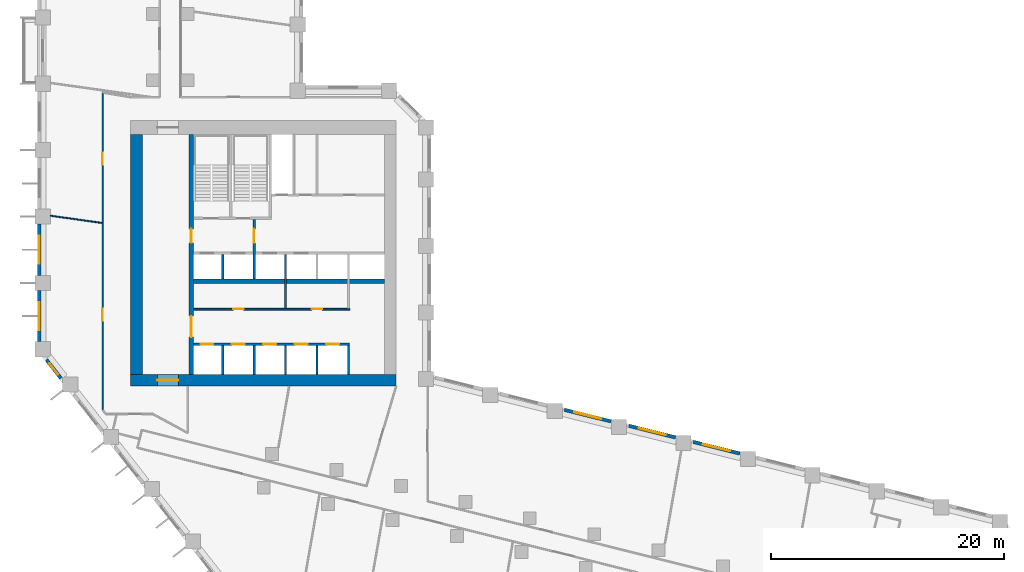
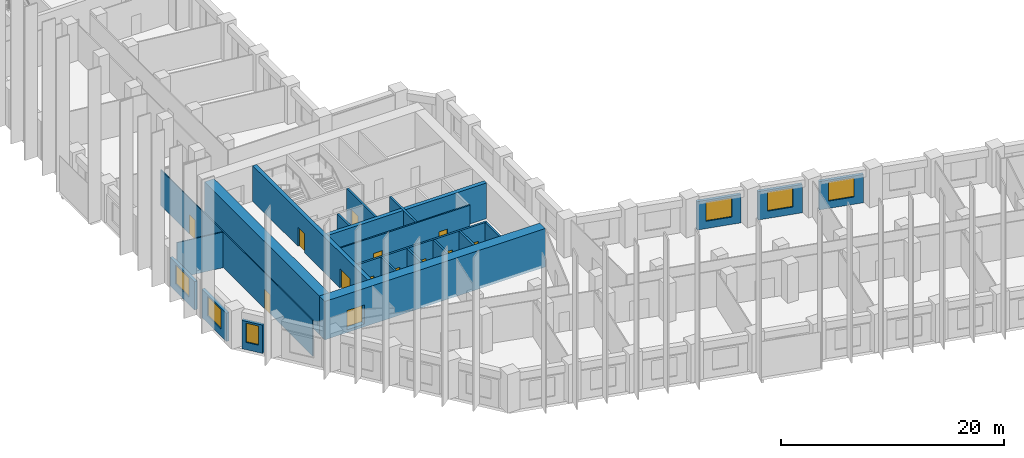
# One storey, part 4 of 10: 22 walls, 13 doors, 6 windows, 19 openings.
"""IFC4 building model written with IfcOpenShell, lengths in metres."""

import ifcopenshell
import ifcopenshell.guid

model = None  # the IFC model being written
_history = None  # IfcOwnerHistory: only IFC2X3 demands one
_inside = {}  # id of a spatial element -> (the spatial element, [elements in it])
_under = {}  # id of a project, library or spatial element -> (it, [spatial elements below it])
_declared = {}  # id of a project -> (the project, [libraries it declares])
_typed = {}  # id of a type object -> (the type object, [elements of that type])
_made_of = {}  # id of a material, layer set ... -> (it, [elements and type objects made of it])


def new_model(schema):
    """Start an empty IFC model of exactly this schema.

    Asked for "IFC4X3", IfcOpenShell would pick the latest addendum, in which some entities
    have other attributes; the version numbers below select the first issue.
    IFC2X3 requires an IfcOwnerHistory on every rooted entity: one is made here for all.
    """
    global model, _history
    if schema == "IFC4X3":
        model = ifcopenshell.file(schema_version=(4, 3, 0, 0))
    else:
        model = ifcopenshell.file(schema=schema)
    _inside.clear()
    _under.clear()
    _declared.clear()
    _typed.clear()
    _made_of.clear()
    _history = None
    if model.schema == "IFC2X3":
        org = make("IfcOrganization", Name="unknown")
        user = make(
            "IfcPersonAndOrganization",
            ThePerson=make("IfcPerson", FamilyName="unknown"),
            TheOrganization=org,
        )
        app = make(
            "IfcApplication",
            ApplicationDeveloper=org,
            Version="unknown",
            ApplicationFullName="unknown",
            ApplicationIdentifier="unknown",
        )
        _history = make(
            "IfcOwnerHistory",
            OwningUser=user,
            OwningApplication=app,
            ChangeAction="ADDED",
            CreationDate=0,
        )
    return model


def make(cls, **values):
    """One entity of the class cls with the attributes given. An attribute that is None is left unset."""
    return model.create_entity(
        cls, **{name: value for name, value in values.items() if value is not None}
    )


def rooted(cls, **values):
    """An entity with a GlobalId (a new one), such as an element, a storey or a relation."""
    return make(cls, GlobalId=ifcopenshell.guid.new(), OwnerHistory=_history, **values)


def si_unit(unit_type, name, prefix=None):
    """IfcSIUnit, for example si_unit("LENGTHUNIT", "METRE", prefix="MILLI")."""
    return make("IfcSIUnit", UnitType=unit_type, Prefix=prefix, Name=name)


def assignment(units):
    """IfcUnitAssignment: the units of a project."""
    return None if units is None else make("IfcUnitAssignment", Units=units)


def point(xyz):
    """IfcCartesianPoint."""
    return None if xyz is None else make("IfcCartesianPoint", Coordinates=xyz)


def direction(xyz):
    """IfcDirection."""
    return None if xyz is None else make("IfcDirection", DirectionRatios=xyz)


def frame(location, z_axis=None, x_axis=None):
    """IfcAxis2Placement3D, a coordinate frame: its origin and axes. An axis left out is left unset."""
    return make(
        "IfcAxis2Placement3D",
        Location=point(location),
        Axis=direction(z_axis),
        RefDirection=direction(x_axis),
    )


def frame_2d(location, x_axis=None):
    """IfcAxis2Placement2D, a coordinate frame in the plane: its origin and x axis."""
    return make(
        "IfcAxis2Placement2D", Location=point(location), RefDirection=direction(x_axis)
    )


def origin():
    """The frame at (0, 0, 0) with its axes left unset."""
    return frame((0.0, 0.0, 0.0))


def place(relative_to, where):
    """IfcLocalPlacement: puts the frame where relative to a parent placement (None: the world)."""
    return make(
        "IfcLocalPlacement", PlacementRelTo=relative_to, RelativePlacement=where
    )


def context(
    kind, dimensions, precision=None, world=None, true_north=None, identifier=None
):
    """IfcGeometricRepresentationContext, for example the 3D "Model" context."""
    return make(
        "IfcGeometricRepresentationContext",
        ContextIdentifier=identifier,
        ContextType=kind,
        CoordinateSpaceDimension=dimensions,
        Precision=precision,
        WorldCoordinateSystem=world,
        TrueNorth=true_north,
    )


def subcontext(parent, identifier, kind, view, scale=None):
    """IfcGeometricRepresentationSubContext, for example "Body" below "Model"."""
    return make(
        "IfcGeometricRepresentationSubContext",
        ContextIdentifier=identifier,
        ContextType=kind,
        ParentContext=parent,
        TargetScale=scale,
        TargetView=view,
    )


def project(units=None, contexts=None):
    """IfcProject with its units and contexts."""
    return rooted(
        "IfcProject",
        Name="project",
        RepresentationContexts=contexts,
        UnitsInContext=assignment(units),
    )


def spatial(cls, under=None, at=None, **own):
    """A site, building, storey or space (cls), placed at a placement, below another one or the project."""
    s = rooted(cls, ObjectPlacement=at, **own)
    if under is not None:
        _under.setdefault(under.id(), (under, []))[1].append(s)
    return s


def profile(cls, at=None, kind="AREA", **sizes):
    """A parametric profile (cls). Its sizes go by their IFC names, for example OverallWidth=200.0."""
    return make(cls, ProfileType=kind, Position=at, **sizes)


def rectangle(**sizes):
    """IfcRectangleProfileDef."""
    return profile("IfcRectangleProfileDef", **sizes)


def extrude(swept, where, along, depth):
    """IfcExtrudedAreaSolid: the profile swept, set in the frame where, extruded along a direction by depth."""
    return make(
        "IfcExtrudedAreaSolid",
        SweptArea=swept,
        Position=where,
        ExtrudedDirection=direction(along),
        Depth=depth,
    )


def shape(context_of_items, identifier, shape_type, items):
    """IfcShapeRepresentation: the items that make up one representation, for example the "Body"."""
    return make(
        "IfcShapeRepresentation",
        ContextOfItems=context_of_items,
        RepresentationIdentifier=identifier,
        RepresentationType=shape_type,
        Items=items,
    )


def material(Name=None, Category=None):
    """IfcMaterial."""
    return make("IfcMaterial", Name=Name, Category=Category)


def layer(
    of_material, thickness, ventilated=None, Name=None, Category=None, Priority=None
):
    """IfcMaterialLayer: one layer of a wall or slab, of a material (None: an air gap)."""
    return make(
        "IfcMaterialLayer",
        Material=of_material,
        LayerThickness=thickness,
        IsVentilated=ventilated,
        Name=Name,
        Category=Category,
        Priority=Priority,
    )


def layer_set(layers, Name=None):
    """IfcMaterialLayerSet."""
    return make("IfcMaterialLayerSet", MaterialLayers=layers, LayerSetName=Name)


def made_of(thing, what):
    """Note that an element or type object is made of a material, layer set ...; save() writes the relation."""
    if what is not None:
        _made_of.setdefault(what.id(), (what, []))[1].append(thing)
    return thing


def type_object(cls, material=None, **own):
    """A type object (cls), such as IfcWallType, which elements share."""
    return made_of(rooted(cls, **own), material)


def element(
    cls,
    number,
    at=None,
    inside=None,
    cuts=None,
    type_object=None,
    material=None,
    context=None,
    identifier="Body",
    shape_type=None,
    held_by="IfcProductDefinitionShape",
    body=None,
    shapes=None,
    **own,
):
    """One element of the class cls, such as IfcWall. Its Tag is "e" and its number.

    at: its placement. inside: the storey or other place that contains it. cuts: it is an
    opening in that element (IfcRelVoidsElement). A single representation is given by context,
    identifier, shape_type and body (its items); several are given by shapes. held_by: the class
    of the entity that holds the representations. save() writes the other relations.
    """
    e = rooted(cls, Tag="e%d" % number, ObjectPlacement=at, **own)
    if body is not None:
        shapes = [shape(context, identifier, shape_type, body)]
    if shapes is not None:
        e.Representation = make(held_by, Representations=shapes)
    if inside is not None:
        _inside.setdefault(inside.id(), (inside, []))[1].append(e)
    if cuts is not None:
        rooted(
            "IfcRelVoidsElement", RelatingBuildingElement=cuts, RelatedOpeningElement=e
        )
    if type_object is not None:
        _typed.setdefault(type_object.id(), (type_object, []))[1].append(e)
    return made_of(e, material)


def fill(opening, filler):
    """IfcRelFillsElement: the door or window that sits in an opening."""
    return rooted(
        "IfcRelFillsElement",
        RelatingOpeningElement=opening,
        RelatedBuildingElement=filler,
    )


def aggregate(whole, parts):
    """IfcRelAggregates: a whole, such as a stair, and the parts it consists of."""
    return rooted("IfcRelAggregates", RelatingObject=whole, RelatedObjects=parts)


def save(model, path):
    """Write the relations noted so far, then the file.

    IfcRelAggregates (storeys below a building ...), IfcRelContainedInSpatialStructure (elements
    in a storey), IfcRelDefinesByType, IfcRelAssociatesMaterial and IfcRelDeclares: one each for
    every whole, place, type object, material and project.
    """
    for whole, parts in _under.values():
        aggregate(whole, parts)
    for where, things in _inside.values():
        rooted(
            "IfcRelContainedInSpatialStructure",
            RelatedElements=things,
            RelatingStructure=where,
        )
    for kind, things in _typed.values():
        rooted("IfcRelDefinesByType", RelatedObjects=things, RelatingType=kind)
    for what, things in _made_of.values():
        rooted("IfcRelAssociatesMaterial", RelatedObjects=things, RelatingMaterial=what)
    for by, libraries in _declared.values():
        rooted("IfcRelDeclares", RelatingContext=by, RelatedDefinitions=libraries)
    model.write(path)


model = new_model("IFC4")

# Units and contexts
model_context = context("Model", 3, precision=1e-05, world=origin(), true_north=direction((0.0, 1.0)))
body_context = subcontext(model_context, "Body", "Model", "MODEL_VIEW")
ifc_project = project(units=[si_unit("LENGTHUNIT", "METRE"), si_unit("AREAUNIT", "SQUARE_METRE"), si_unit("VOLUMEUNIT", "CUBIC_METRE"), si_unit("PLANEANGLEUNIT", "RADIAN"), si_unit("MASSUNIT", "GRAM", prefix="KILO")], contexts=[model_context])

# Site, building, storey
site_placement = place(None, origin())
site = spatial("IfcSite", under=ifc_project, at=site_placement, CompositionType="ELEMENT")
building_placement = place(site_placement, origin())
building = spatial("IfcBuilding", under=site, at=building_placement, Name="Meshkara Civic Tower", CompositionType="ELEMENT")
storey_placement = place(building_placement, frame((0.0, 0.0, 114.0)))
storey = spatial("IfcBuildingStorey", under=building, at=storey_placement, Name="L25", CompositionType="ELEMENT", Elevation=114.0)

# Wall, openings, doors
ifc_material_1 = material(Name="Blockwork", Category="masonry")
ifc_layer_1 = layer(ifc_material_1, 0.14990234375)
ifc_layer_set_1 = layer_set([ifc_layer_1], Name="Core partition 150")
wall_type_1 = type_object("IfcWallType", Name="Core partition 150", PredefinedType="PARTITIONING", material=ifc_layer_set_1)
wall_1_placement = place(storey_placement, frame((13.39990234375, 20.699951171875, 0.0), z_axis=(0.0, 0.0, 1.0), x_axis=(1.0, 0.0, 0.0)))
wall_1 = element("IfcWall", 1, at=wall_1_placement, inside=storey, type_object=wall_type_1, Name="L25-C006", PredefinedType="PARTITIONING", context=body_context, shape_type="SweptSolid", body=[
    extrude(rectangle(XDim=13.400146484375, YDim=0.14990234375, at=frame_2d((6.7001953125, 0.0))), origin(), (0.0, 0.0, 1.0), 3.89990234375),
])
opening_1_placement = place(wall_1_placement, frame((3.39990234375, 0.0, 0.0)))
opening_1 = element("IfcOpeningElement", 2, at=opening_1_placement, cuts=wall_1, Name="Opening L25-K010", PredefinedType="OPENING", context=body_context, shape_type="SweptSolid", body=[
    extrude(rectangle(XDim=0.89990234375, YDim=2.10009765625, at=frame_2d((0.449951171875, 1.050048828125))), frame((0.0, 0.0849609375, 0.0), z_axis=(0.0, -1.0, 0.0), x_axis=(1.0, 0.0, 0.0)), (0.0, 0.0, 1.0), 0.169921875),
])
opening_2_placement = place(wall_1_placement, frame((10.14990234375, 0.0, 0.0)))
opening_2 = element("IfcOpeningElement", 3, at=opening_2_placement, cuts=wall_1, Name="Opening L25-K011", PredefinedType="OPENING", context=body_context, shape_type="SweptSolid", body=[
    extrude(rectangle(XDim=0.89990234375, YDim=2.10009765625, at=frame_2d((0.449951171875, 1.050048828125))), frame((0.0, 0.0849609375, 0.0), z_axis=(0.0, -1.0, 0.0), x_axis=(1.0, 0.0, 0.0)), (0.0, 0.0, 1.0), 0.169921875),
])
ifc_material_2 = material(Name="Timber door leaf in steel frame", Category="steel")
door_type_1 = type_object("IfcDoorType", Name="Core room door 900", OperationType="SINGLE_SWING_LEFT", PredefinedType="DOOR", material=ifc_material_2)
door_1_placement = place(opening_1_placement, origin())
door_1 = element("IfcDoor", 4, at=door_1_placement, inside=storey, type_object=door_type_1, Name="L25-K010", OperationType="SINGLE_SWING_RIGHT", OverallHeight=2.10009765625, OverallWidth=0.89990234375, PredefinedType="DOOR", context=body_context, shape_type="SweptSolid", body=[
    extrude(rectangle(XDim=0.89990234375, YDim=2.10009765625, at=frame_2d((0.449951171875, 1.050048828125))), frame((0.0, 0.02490234375, 0.0), z_axis=(0.0, -1.0, 0.0), x_axis=(1.0, 0.0, 0.0)), (0.0, 0.0, 1.0), 0.050048828125),
])
fill(opening_1, door_1)
door_2_placement = place(opening_2_placement, origin())
door_2 = element("IfcDoor", 5, at=door_2_placement, inside=storey, type_object=door_type_1, Name="L25-K011", OperationType="SINGLE_SWING_RIGHT", OverallHeight=2.10009765625, OverallWidth=0.89990234375, PredefinedType="DOOR", context=body_context, shape_type="SweptSolid", body=[
    extrude(rectangle(XDim=0.89990234375, YDim=2.10009765625, at=frame_2d((0.449951171875, 1.050048828125))), frame((0.0, 0.02490234375, 0.0), z_axis=(0.0, -1.0, 0.0), x_axis=(1.0, 0.0, 0.0)), (0.0, 0.0, 1.0), 0.050048828125),
])
fill(opening_2, door_2)

# Wall, opening, door
ifc_material_3 = material(Name="Concrete C70", Category="concrete")
ifc_layer_2 = layer(ifc_material_3, 1.0)
ifc_layer_set_2 = layer_set([ifc_layer_2], Name="Core ring wall 1000 C70")
wall_type_2 = type_object("IfcWallType", Name="Core ring wall 1000 C70", PredefinedType="SHEAR", material=ifc_layer_set_2)
wall_2_placement = place(storey_placement, frame((8.0, 14.60009765625, -0.300048828125), z_axis=(0.0, 0.0, 1.0), x_axis=(1.0, 0.0, 0.0)))
wall_2 = element("IfcWall", 6, at=wall_2_placement, inside=storey, type_object=wall_type_2, Name="L25-C001", PredefinedType="SHEAR", context=body_context, shape_type="SweptSolid", body=[
    extrude(rectangle(XDim=22.800048828125, YDim=1.0, at=frame_2d((11.39990234375, 0.0))), origin(), (0.0, 0.0, 1.0), 4.199951171875),
])
opening_3_placement = place(wall_2_placement, frame((2.300048828125, 0.0, 0.300048828125)))
opening_3 = element("IfcOpeningElement", 7, at=opening_3_placement, cuts=wall_2, Name="Opening L25-K021", PredefinedType="OPENING", context=body_context, shape_type="SweptSolid", body=[
    extrude(rectangle(XDim=1.800048828125, YDim=2.10009765625, at=frame_2d((0.89990234375, 1.050048828125))), frame((0.0, 0.510009765625, 0.0), z_axis=(0.0, -1.0, 0.0), x_axis=(1.0, 0.0, 0.0)), (0.0, 0.0, 1.0), 1.02001953125),
])
ifc_material_4 = material(Name="Fire-rated door leaf in steel frame", Category="steel")
door_type_2 = type_object("IfcDoorType", Name="Core double door 1800 EI 60", OperationType="DOUBLE_DOOR_SINGLE_SWING", PredefinedType="DOOR", material=ifc_material_4)
door_3_placement = place(opening_3_placement, origin())
door_3 = element("IfcDoor", 8, at=door_3_placement, inside=storey, type_object=door_type_2, Name="L25-K021", OperationType="DOUBLE_DOOR_SINGLE_SWING", OverallHeight=2.10009765625, OverallWidth=1.800048828125, PredefinedType="DOOR", context=body_context, shape_type="SweptSolid", body=[
    extrude(rectangle(XDim=1.800048828125, YDim=2.10009765625, at=frame_2d((0.89990234375, 1.050048828125))), frame((0.0, 0.02490234375, 0.0), z_axis=(0.0, -1.0, 0.0), x_axis=(1.0, 0.0, 0.0)), (0.0, 0.0, 1.0), 0.050048828125),
])
fill(opening_3, door_3)

# Walls
wall_3_placement = place(storey_placement, frame((8.5, 15.10009765625, -0.300048828125), z_axis=(0.0, 0.0, 1.0), x_axis=(0.0, 1.0, 0.0)))
element("IfcWall", 9, at=wall_3_placement, inside=storey, type_object=wall_type_2, Name="L25-C003", PredefinedType="SHEAR", context=body_context, shape_type="SweptSolid", body=[
    extrude(rectangle(XDim=20.599853515625, YDim=1.0, at=frame_2d((10.2998046875, 0.0))), origin(), (0.0, 0.0, 1.0), 4.199951171875),
])
ifc_material_5 = material(Name="Concrete C70", Category="concrete")
ifc_layer_3 = layer(ifc_material_5, 0.39990234375)
ifc_layer_set_3 = layer_set([ifc_layer_3], Name="Core shear wall 400 C70")
wall_type_3 = type_object("IfcWallType", Name="Core shear wall 400 C70", PredefinedType="SHEAR", material=ifc_layer_set_3)
wall_4_placement = place(storey_placement, frame((13.39990234375, 23.10009765625, 0.0), z_axis=(0.0, 0.0, 1.0), x_axis=(1.0, 0.0, 0.0)))
element("IfcWall", 10, at=wall_4_placement, inside=storey, type_object=wall_type_3, Name="L25-C007", PredefinedType="SHEAR", context=body_context, shape_type="SweptSolid", body=[
    extrude(rectangle(XDim=16.400146484375, YDim=0.39990234375, at=frame_2d((8.2001953125, 0.0))), origin(), (0.0, 0.0, 1.0), 3.89990234375),
])

# Wall, openings, doors
wall_5_placement = place(storey_placement, frame((13.199951171875, 15.10009765625, 0.0), z_axis=(0.0, 0.0, 1.0), x_axis=(0.0, 1.0, 0.0)))
wall_5 = element("IfcWall", 11, at=wall_5_placement, inside=storey, type_object=wall_type_3, Name="L25-C011", PredefinedType="SHEAR", context=body_context, shape_type="SweptSolid", body=[
    extrude(rectangle(XDim=20.599853515625, YDim=0.39990234375, at=frame_2d((10.2998046875, 0.0))), origin(), (0.0, 0.0, 1.0), 3.89990234375),
])
opening_4_placement = place(wall_5_placement, frame((3.199951171875, 0.0, 0.0)))
opening_4 = element("IfcOpeningElement", 12, at=opening_4_placement, cuts=wall_5, Name="Opening L25-K017", PredefinedType="OPENING", context=body_context, shape_type="SweptSolid", body=[
    extrude(rectangle(XDim=1.800048828125, YDim=2.10009765625, at=frame_2d((0.89990234375, 1.050048828125))), frame((0.0, 0.2099609375, 0.0), z_axis=(0.0, -1.0, 0.0), x_axis=(1.0, 0.0, 0.0)), (0.0, 0.0, 1.0), 0.419921875),
])
opening_5_placement = place(wall_5_placement, frame((11.300048828125, 0.0, 0.0)))
opening_5 = element("IfcOpeningElement", 13, at=opening_5_placement, cuts=wall_5, Name="Opening L25-K018", PredefinedType="OPENING", context=body_context, shape_type="SweptSolid", body=[
    extrude(rectangle(XDim=1.199951171875, YDim=2.10009765625, at=frame_2d((0.60009765625, 1.050048828125))), frame((0.0, 0.2099609375, 0.0), z_axis=(0.0, -1.0, 0.0), x_axis=(1.0, 0.0, 0.0)), (0.0, 0.0, 1.0), 0.419921875),
])
door_4_placement = place(opening_4_placement, origin())
door_4 = element("IfcDoor", 14, at=door_4_placement, inside=storey, type_object=door_type_2, Name="L25-K017", OperationType="DOUBLE_DOOR_SINGLE_SWING", OverallHeight=2.10009765625, OverallWidth=1.800048828125, PredefinedType="DOOR", context=body_context, shape_type="SweptSolid", body=[
    extrude(rectangle(XDim=1.800048828125, YDim=2.10009765625, at=frame_2d((0.89990234375, 1.050048828125))), frame((0.0, 0.02490234375, 0.0), z_axis=(0.0, -1.0, 0.0), x_axis=(1.0, 0.0, 0.0)), (0.0, 0.0, 1.0), 0.050048828125),
])
fill(opening_4, door_4)
ifc_material_6 = material(Name="Fire-rated door leaf in steel frame", Category="steel")
door_type_3 = type_object("IfcDoorType", Name="Fire-fighting lobby door 1200 EI 120", OperationType="SINGLE_SWING_LEFT", PredefinedType="DOOR", material=ifc_material_6)
door_5_placement = place(opening_5_placement, origin())
door_5 = element("IfcDoor", 15, at=door_5_placement, inside=storey, type_object=door_type_3, Name="L25-K018", OperationType="SINGLE_SWING_LEFT", OverallHeight=2.10009765625, OverallWidth=1.199951171875, PredefinedType="DOOR", context=body_context, shape_type="SweptSolid", body=[
    extrude(rectangle(XDim=1.199951171875, YDim=2.10009765625, at=frame_2d((0.60009765625, 1.050048828125))), frame((0.0, 0.02490234375, 0.0), z_axis=(0.0, -1.0, 0.0), x_axis=(1.0, 0.0, 0.0)), (0.0, 0.0, 1.0), 0.050048828125),
])
fill(opening_5, door_5)

ifc_material_7 = material(Name="Corridor wall 100")
ifc_layer_4 = layer(ifc_material_7, 0.10009765625)
ifc_layer_set_4 = layer_set([ifc_layer_4], Name="Corridor wall 100")
wall_type_4 = type_object("IfcWallType", Name="Corridor wall 100", PredefinedType="PARTITIONING", material=ifc_layer_set_4)
wall_6_placement = place(storey_placement, frame((5.60009765625, 39.300048828125, 0.0), z_axis=(0.0, 0.0, 1.0), x_axis=(0.0, -1.0, 0.0)))
wall_6 = element("IfcWall", 16, at=wall_6_placement, inside=storey, type_object=wall_type_4, Name="L25-W004", PredefinedType="PARTITIONING", context=body_context, shape_type="SweptSolid", body=[
    extrude(rectangle(XDim=27.257080078125, YDim=0.10009765625, at=frame_2d((13.62841796875, 0.0))), origin(), (0.0, 0.0, 1.0), 3.89990234375),
])
opening_6_placement = place(wall_6_placement, frame((18.5791015625, 0.0, 0.0)))
opening_6 = element("IfcOpeningElement", 17, at=opening_6_placement, cuts=wall_6, Name="Opening L25-D015", PredefinedType="OPENING", context=body_context, shape_type="SweptSolid", body=[
    extrude(rectangle(XDim=1.0, YDim=2.10009765625, at=frame_2d((0.5, 1.050048828125))), frame((0.0, 0.06005859375, 0.0), z_axis=(0.0, -1.0, 0.0), x_axis=(1.0, 0.0, 0.0)), (0.0, 0.0, 1.0), 0.1201171875),
])
opening_7_placement = place(wall_6_placement, frame((5.179931640625, 0.0, 0.0)))
opening_7 = element("IfcOpeningElement", 18, at=opening_7_placement, cuts=wall_6, Name="Opening L25-D016", PredefinedType="OPENING", context=body_context, shape_type="SweptSolid", body=[
    extrude(rectangle(XDim=1.0, YDim=2.10009765625, at=frame_2d((0.5, 1.050048828125))), frame((0.0, 0.06005859375, 0.0), z_axis=(0.0, -1.0, 0.0), x_axis=(1.0, 0.0, 0.0)), (0.0, 0.0, 1.0), 0.1201171875),
])
ifc_material_8 = material(Name="Door 1000 x 2100")
door_type_4 = type_object("IfcDoorType", Name="Door 1000 x 2100", OperationType="SINGLE_SWING_LEFT", PredefinedType="DOOR", material=ifc_material_8)
door_6_placement = place(opening_6_placement, origin())
door_6 = element("IfcDoor", 19, at=door_6_placement, inside=storey, type_object=door_type_4, Name="L25-D015", OperationType="SINGLE_SWING_RIGHT", OverallHeight=2.10009765625, OverallWidth=1.0, PredefinedType="DOOR", context=body_context, shape_type="SweptSolid", body=[
    extrude(rectangle(XDim=1.0, YDim=2.10009765625, at=frame_2d((0.5, 1.050048828125))), frame((0.0, 0.02490234375, 0.0), z_axis=(0.0, -1.0, 0.0), x_axis=(1.0, 0.0, 0.0)), (0.0, 0.0, 1.0), 0.050048828125),
])
fill(opening_6, door_6)
door_7_placement = place(opening_7_placement, origin())
door_7 = element("IfcDoor", 20, at=door_7_placement, inside=storey, type_object=door_type_4, Name="L25-D016", OperationType="SINGLE_SWING_LEFT", OverallHeight=2.10009765625, OverallWidth=1.0, PredefinedType="DOOR", context=body_context, shape_type="SweptSolid", body=[
    extrude(rectangle(XDim=1.0, YDim=2.10009765625, at=frame_2d((0.5, 1.050048828125))), frame((0.0, 0.02490234375, 0.0), z_axis=(0.0, -1.0, 0.0), x_axis=(1.0, 0.0, 0.0)), (0.0, 0.0, 1.0), 0.050048828125),
])
fill(opening_7, door_7)

# Wall, opening, window
ifc_material_9 = material(Name="Insulated infill panel with bronze anodised aluminium cladding", Category="aluminium")
ifc_layer_5 = layer(ifc_material_9, 0.300048828125)
ifc_layer_set_5 = layer_set([ifc_layer_5], Name="EXTERNAL INFILL WALL 300")
wall_type_5 = type_object("IfcWallType", Name="EXTERNAL INFILL WALL 300", PredefinedType="SOLIDWALL", material=ifc_layer_set_5)
wall_7_placement = place(storey_placement, frame((60.31103515625, 8.305908203125, 0.0), z_axis=(0.0, 0.0, 1.0), x_axis=(-0.970267747908, 0.242034083076, 0.0)))
wall_7 = element("IfcWall", 21, at=wall_7_placement, inside=storey, type_object=wall_type_5, Name="External wall", PredefinedType="SOLIDWALL", context=body_context, shape_type="SweptSolid", body=[
    extrude(rectangle(XDim=4.12353515625, YDim=0.300048828125, at=frame_2d((2.061767578125, 0.0))), origin(), (0.0, 0.0, 1.0), 3.10009765625),
])
opening_8_placement = place(wall_7_placement, frame((0.862060546875, 0.0, 0.800048828125)))
opening_8 = element("IfcOpeningElement", 22, at=opening_8_placement, cuts=wall_7, Name="Opening W7", PredefinedType="OPENING", context=body_context, shape_type="SweptSolid", body=[
    extrude(rectangle(XDim=2.39990234375, YDim=2.10009765625, at=frame_2d((1.199951171875, 1.050048828125))), frame((0.0, 0.159912109375, 0.0), z_axis=(0.0, -1.0, 0.0), x_axis=(1.0, 0.0, 0.0)), (0.0, 0.0, 1.0), 0.320068359375),
])
ifc_material_10 = material(Name="Tinted double glazing", Category="glass")
window_type_1 = type_object("IfcWindowType", Name="WINDOW 2400x2100", PartitioningType="DOUBLE_PANEL_VERTICAL", PredefinedType="WINDOW", material=ifc_material_10)
window_1_placement = place(opening_8_placement, origin())
window_1 = element("IfcWindow", 23, at=window_1_placement, inside=storey, type_object=window_type_1, Name="Window", OverallHeight=2.10009765625, OverallWidth=2.39990234375, PartitioningType="DOUBLE_PANEL_VERTICAL", PredefinedType="WINDOW", context=body_context, shape_type="SweptSolid", body=[
    extrude(rectangle(XDim=2.39990234375, YDim=2.10009765625, at=frame_2d((1.199951171875, 1.050048828125))), frame((0.0, 0.030029296875, 0.0), z_axis=(0.0, -1.0, 0.0), x_axis=(1.0, 0.0, 0.0)), (0.0, 0.0, 1.0), 0.06005859375),
])
fill(opening_8, window_1)

wall_8_placement = place(storey_placement, frame((54.781005859375, 9.68505859375, 0.0), z_axis=(0.0, 0.0, 1.0), x_axis=(-0.970281616392, 0.241978480223, 0.0)))
wall_8 = element("IfcWall", 24, at=wall_8_placement, inside=storey, type_object=wall_type_5, Name="External wall", PredefinedType="SOLIDWALL", context=body_context, shape_type="SweptSolid", body=[
    extrude(rectangle(XDim=4.12451171875, YDim=0.300048828125, at=frame_2d((2.062255859375, 0.0))), origin(), (0.0, 0.0, 1.0), 3.10009765625),
])
opening_9_placement = place(wall_8_placement, frame((0.862060546875, 0.0, 0.800048828125)))
opening_9 = element("IfcOpeningElement", 25, at=opening_9_placement, cuts=wall_8, Name="Opening W7", PredefinedType="OPENING", context=body_context, shape_type="SweptSolid", body=[
    extrude(rectangle(XDim=2.39990234375, YDim=2.10009765625, at=frame_2d((1.199951171875, 1.050048828125))), frame((0.0, 0.159912109375, 0.0), z_axis=(0.0, -1.0, 0.0), x_axis=(1.0, 0.0, 0.0)), (0.0, 0.0, 1.0), 0.320068359375),
])
window_2_placement = place(opening_9_placement, origin())
window_2 = element("IfcWindow", 26, at=window_2_placement, inside=storey, type_object=window_type_1, Name="Window", OverallHeight=2.10009765625, OverallWidth=2.39990234375, PartitioningType="DOUBLE_PANEL_VERTICAL", PredefinedType="WINDOW", context=body_context, shape_type="SweptSolid", body=[
    extrude(rectangle(XDim=2.39990234375, YDim=2.10009765625, at=frame_2d((1.199951171875, 1.050048828125))), frame((0.0, 0.030029296875, 0.0), z_axis=(0.0, -1.0, 0.0), x_axis=(1.0, 0.0, 0.0)), (0.0, 0.0, 1.0), 0.06005859375),
])
fill(opening_9, window_2)

wall_9_placement = place(storey_placement, frame((49.25, 11.06396484375, 0.0), z_axis=(0.0, 0.0, 1.0), x_axis=(-0.970281616392, 0.241978480223, 0.0)))
wall_9 = element("IfcWall", 27, at=wall_9_placement, inside=storey, type_object=wall_type_5, Name="External wall", PredefinedType="SOLIDWALL", context=body_context, shape_type="SweptSolid", body=[
    extrude(rectangle(XDim=4.12451171875, YDim=0.300048828125, at=frame_2d((2.062255859375, 0.0))), origin(), (0.0, 0.0, 1.0), 3.10009765625),
])
opening_10_placement = place(wall_9_placement, frame((0.862060546875, 0.0, 0.800048828125)))
opening_10 = element("IfcOpeningElement", 28, at=opening_10_placement, cuts=wall_9, Name="Opening W7", PredefinedType="OPENING", context=body_context, shape_type="SweptSolid", body=[
    extrude(rectangle(XDim=2.39990234375, YDim=2.10009765625, at=frame_2d((1.199951171875, 1.050048828125))), frame((0.0, 0.159912109375, 0.0), z_axis=(0.0, -1.0, 0.0), x_axis=(1.0, 0.0, 0.0)), (0.0, 0.0, 1.0), 0.320068359375),
])
window_3_placement = place(opening_10_placement, origin())
window_3 = element("IfcWindow", 29, at=window_3_placement, inside=storey, type_object=window_type_1, Name="Window", OverallHeight=2.10009765625, OverallWidth=2.39990234375, PartitioningType="DOUBLE_PANEL_VERTICAL", PredefinedType="WINDOW", context=body_context, shape_type="SweptSolid", body=[
    extrude(rectangle(XDim=2.39990234375, YDim=2.10009765625, at=frame_2d((1.199951171875, 1.050048828125))), frame((0.0, 0.030029296875, 0.0), z_axis=(0.0, -1.0, 0.0), x_axis=(1.0, 0.0, 0.0)), (0.0, 0.0, 1.0), 0.06005859375),
])
fill(opening_10, window_3)

wall_10_placement = place(storey_placement, frame((0.14990234375, 28.0048828125, 0.0), z_axis=(0.0, 0.0, 1.0), x_axis=(0.0, -1.0, 0.0)))
wall_10 = element("IfcWall", 30, at=wall_10_placement, inside=storey, type_object=wall_type_5, Name="External wall", PredefinedType="SOLIDWALL", context=body_context, shape_type="SweptSolid", body=[
    extrude(rectangle(XDim=4.39990234375, YDim=0.300048828125, at=frame_2d((2.199951171875, 0.0))), origin(), (0.0, 0.0, 1.0), 3.10009765625),
])
opening_11_placement = place(wall_10_placement, frame((1.0, 0.0, 0.800048828125)))
opening_11 = element("IfcOpeningElement", 31, at=opening_11_placement, cuts=wall_10, Name="Opening W7", PredefinedType="OPENING", context=body_context, shape_type="SweptSolid", body=[
    extrude(rectangle(XDim=2.39990234375, YDim=2.10009765625, at=frame_2d((1.199951171875, 1.050048828125))), frame((0.0, 0.159912109375, 0.0), z_axis=(0.0, -1.0, 0.0), x_axis=(1.0, 0.0, 0.0)), (0.0, 0.0, 1.0), 0.320068359375),
])
window_4_placement = place(opening_11_placement, origin())
window_4 = element("IfcWindow", 32, at=window_4_placement, inside=storey, type_object=window_type_1, Name="Window", OverallHeight=2.10009765625, OverallWidth=2.39990234375, PartitioningType="DOUBLE_PANEL_VERTICAL", PredefinedType="WINDOW", context=body_context, shape_type="SweptSolid", body=[
    extrude(rectangle(XDim=2.39990234375, YDim=2.10009765625, at=frame_2d((1.199951171875, 1.050048828125))), frame((0.0, 0.030029296875, 0.0), z_axis=(0.0, -1.0, 0.0), x_axis=(1.0, 0.0, 0.0)), (0.0, 0.0, 1.0), 0.06005859375),
])
fill(opening_11, window_4)

wall_11_placement = place(storey_placement, frame((0.14990234375, 22.304931640625, 0.0), z_axis=(0.0, 0.0, 1.0), x_axis=(0.0, -1.0, 0.0)))
wall_11 = element("IfcWall", 33, at=wall_11_placement, inside=storey, type_object=wall_type_5, Name="External wall", PredefinedType="SOLIDWALL", context=body_context, shape_type="SweptSolid", body=[
    extrude(rectangle(XDim=4.39990234375, YDim=0.300048828125, at=frame_2d((2.199951171875, 0.0))), origin(), (0.0, 0.0, 1.0), 3.10009765625),
])
opening_12_placement = place(wall_11_placement, frame((1.0, 0.0, 0.800048828125)))
opening_12 = element("IfcOpeningElement", 34, at=opening_12_placement, cuts=wall_11, Name="Opening W7", PredefinedType="OPENING", context=body_context, shape_type="SweptSolid", body=[
    extrude(rectangle(XDim=2.39990234375, YDim=2.10009765625, at=frame_2d((1.199951171875, 1.050048828125))), frame((0.0, 0.159912109375, 0.0), z_axis=(0.0, -1.0, 0.0), x_axis=(1.0, 0.0, 0.0)), (0.0, 0.0, 1.0), 0.320068359375),
])
window_5_placement = place(opening_12_placement, origin())
window_5 = element("IfcWindow", 35, at=window_5_placement, inside=storey, type_object=window_type_1, Name="Window", OverallHeight=2.10009765625, OverallWidth=2.39990234375, PartitioningType="DOUBLE_PANEL_VERTICAL", PredefinedType="WINDOW", context=body_context, shape_type="SweptSolid", body=[
    extrude(rectangle(XDim=2.39990234375, YDim=2.10009765625, at=frame_2d((1.199951171875, 1.050048828125))), frame((0.0, 0.030029296875, 0.0), z_axis=(0.0, -1.0, 0.0), x_axis=(1.0, 0.0, 0.0)), (0.0, 0.0, 1.0), 0.06005859375),
])
fill(opening_12, window_5)

wall_12_placement = place(storey_placement, frame((0.77490234375, 16.35107421875, 0.0), z_axis=(0.0, 0.0, 1.0), x_axis=(0.6157921118, -0.787908671766, 0.0)))
wall_12 = element("IfcWall", 36, at=wall_12_placement, inside=storey, type_object=wall_type_5, Name="External wall", PredefinedType="SOLIDWALL", context=body_context, shape_type="SweptSolid", body=[
    extrude(rectangle(XDim=2.015625, YDim=0.300048828125, at=frame_2d((1.0078125, 0.0))), origin(), (0.0, 0.0, 1.0), 3.10009765625),
])
opening_13_placement = place(wall_12_placement, frame((0.407958984375, 0.0, 0.800048828125)))
opening_13 = element("IfcOpeningElement", 37, at=opening_13_placement, cuts=wall_12, Name="Opening W3", PredefinedType="OPENING", context=body_context, shape_type="SweptSolid", body=[
    extrude(rectangle(XDim=1.199951171875, YDim=2.10009765625, at=frame_2d((0.60009765625, 1.050048828125))), frame((0.0, 0.159912109375, 0.0), z_axis=(0.0, -1.0, 0.0), x_axis=(1.0, 0.0, 0.0)), (0.0, 0.0, 1.0), 0.320068359375),
])
ifc_material_11 = material(Name="Tinted double glazing", Category="glass")
window_type_2 = type_object("IfcWindowType", Name="WINDOW 1200x2100", PartitioningType="SINGLE_PANEL", PredefinedType="WINDOW", material=ifc_material_11)
window_6_placement = place(opening_13_placement, origin())
window_6 = element("IfcWindow", 38, at=window_6_placement, inside=storey, type_object=window_type_2, Name="Window", OverallHeight=2.10009765625, OverallWidth=1.199951171875, PartitioningType="SINGLE_PANEL", PredefinedType="WINDOW", context=body_context, shape_type="SweptSolid", body=[
    extrude(rectangle(XDim=1.199951171875, YDim=2.10009765625, at=frame_2d((0.60009765625, 1.050048828125))), frame((0.0, 0.030029296875, 0.0), z_axis=(0.0, -1.0, 0.0), x_axis=(1.0, 0.0, 0.0)), (0.0, 0.0, 1.0), 0.06005859375),
])
fill(opening_13, window_6)

# Wall
ifc_material_12 = material(Name="Partition 100")
ifc_layer_6 = layer(ifc_material_12, 0.10009765625)
ifc_layer_set_6 = layer_set([ifc_layer_6], Name="Partition 100")
wall_type_6 = type_object("IfcWallType", Name="Partition 100", PredefinedType="PARTITIONING", material=ifc_layer_set_6)
wall_13_placement = place(storey_placement, frame((5.54296875, 28.10107421875, 0.0), z_axis=(0.0, 0.0, 1.0), x_axis=(-0.990249777372, 0.139303188816, 0.0)))
element("IfcWall", 39, at=wall_13_placement, inside=storey, type_object=wall_type_6, Name="L25-W032", PredefinedType="PARTITIONING", context=body_context, shape_type="SweptSolid", body=[
    extrude(rectangle(XDim=4.486572265625, YDim=0.10009765625, at=frame_2d((2.2431640625, 0.0))), origin(), (0.0, 0.0, 1.0), 3.89990234375),
])

# Wall, openings, doors
ifc_material_13 = material(Name="Concrete C40/50", Category="concrete")
ifc_layer_7 = layer(ifc_material_13, 0.199951171875)
ifc_layer_set_7 = layer_set([ifc_layer_7], Name="Shaft wall 200 C40/50")
wall_type_7 = type_object("IfcWallType", Name="Shaft wall 200 C40/50", PredefinedType="SOLIDWALL", material=ifc_layer_set_7)
wall_14_placement = place(storey_placement, frame((13.39990234375, 17.699951171875, 0.0), z_axis=(0.0, 0.0, 1.0), x_axis=(1.0, 0.0, 0.0)))
wall_14 = element("IfcWall", 40, at=wall_14_placement, inside=storey, type_object=wall_type_7, Name="L25-C005", PredefinedType="SOLIDWALL", context=body_context, shape_type="SweptSolid", body=[
    extrude(rectangle(XDim=13.400146484375, YDim=0.199951171875, at=frame_2d((6.7001953125, 0.0))), origin(), (0.0, 0.0, 1.0), 3.89990234375),
])
opening_14_placement = place(wall_14_placement, frame((0.60009765625, 0.0, 0.0)))
opening_14 = element("IfcOpeningElement", 41, at=opening_14_placement, cuts=wall_14, Name="Opening L25-K001", PredefinedType="OPENING", context=body_context, shape_type="SweptSolid", body=[
    extrude(rectangle(XDim=1.10009765625, YDim=2.10009765625, at=frame_2d((0.550048828125, 1.050048828125))), frame((0.0, 0.10986328125, 0.0), z_axis=(0.0, -1.0, 0.0), x_axis=(1.0, 0.0, 0.0)), (0.0, 0.0, 1.0), 0.219970703125),
])
opening_15_placement = place(wall_14_placement, frame((3.300048828125, 0.0, 0.0)))
opening_15 = element("IfcOpeningElement", 42, at=opening_15_placement, cuts=wall_14, Name="Opening L25-K002", PredefinedType="OPENING", context=body_context, shape_type="SweptSolid", body=[
    extrude(rectangle(XDim=1.10009765625, YDim=2.10009765625, at=frame_2d((0.550048828125, 1.050048828125))), frame((0.0, 0.10986328125, 0.0), z_axis=(0.0, -1.0, 0.0), x_axis=(1.0, 0.0, 0.0)), (0.0, 0.0, 1.0), 0.219970703125),
])
opening_16_placement = place(wall_14_placement, frame((6.0, 0.0, 0.0)))
opening_16 = element("IfcOpeningElement", 43, at=opening_16_placement, cuts=wall_14, Name="Opening L25-K003", PredefinedType="OPENING", context=body_context, shape_type="SweptSolid", body=[
    extrude(rectangle(XDim=1.10009765625, YDim=2.10009765625, at=frame_2d((0.550048828125, 1.050048828125))), frame((0.0, 0.10986328125, 0.0), z_axis=(0.0, -1.0, 0.0), x_axis=(1.0, 0.0, 0.0)), (0.0, 0.0, 1.0), 0.219970703125),
])
opening_17_placement = place(wall_14_placement, frame((8.699951171875, 0.0, 0.0)))
opening_17 = element("IfcOpeningElement", 44, at=opening_17_placement, cuts=wall_14, Name="Opening L25-K004", PredefinedType="OPENING", context=body_context, shape_type="SweptSolid", body=[
    extrude(rectangle(XDim=1.10009765625, YDim=2.10009765625, at=frame_2d((0.550048828125, 1.050048828125))), frame((0.0, 0.10986328125, 0.0), z_axis=(0.0, -1.0, 0.0), x_axis=(1.0, 0.0, 0.0)), (0.0, 0.0, 1.0), 0.219970703125),
])
opening_18_placement = place(wall_14_placement, frame((11.39990234375, 0.0, 0.0)))
opening_18 = element("IfcOpeningElement", 45, at=opening_18_placement, cuts=wall_14, Name="Opening L25-K005", PredefinedType="OPENING", context=body_context, shape_type="SweptSolid", body=[
    extrude(rectangle(XDim=1.10009765625, YDim=2.10009765625, at=frame_2d((0.550048828125, 1.050048828125))), frame((0.0, 0.10986328125, 0.0), z_axis=(0.0, -1.0, 0.0), x_axis=(1.0, 0.0, 0.0)), (0.0, 0.0, 1.0), 0.219970703125),
])
ifc_material_14 = material(Name="Stainless steel landing door", Category="steel")
door_type_5 = type_object("IfcDoorType", Name="Lift landing door 1100", OperationType="SLIDING_TO_LEFT", PredefinedType="DOOR", material=ifc_material_14)
door_8_placement = place(opening_14_placement, origin())
door_8 = element("IfcDoor", 46, at=door_8_placement, inside=storey, type_object=door_type_5, Name="L25-K001", OperationType="SLIDING_TO_LEFT", OverallHeight=2.10009765625, OverallWidth=1.10009765625, PredefinedType="DOOR", context=body_context, shape_type="SweptSolid", body=[
    extrude(rectangle(XDim=1.10009765625, YDim=2.10009765625, at=frame_2d((0.550048828125, 1.050048828125))), frame((0.0, 0.02490234375, 0.0), z_axis=(0.0, -1.0, 0.0), x_axis=(1.0, 0.0, 0.0)), (0.0, 0.0, 1.0), 0.050048828125),
])
fill(opening_14, door_8)
door_9_placement = place(opening_15_placement, origin())
door_9 = element("IfcDoor", 47, at=door_9_placement, inside=storey, type_object=door_type_5, Name="L25-K002", OperationType="SLIDING_TO_LEFT", OverallHeight=2.10009765625, OverallWidth=1.10009765625, PredefinedType="DOOR", context=body_context, shape_type="SweptSolid", body=[
    extrude(rectangle(XDim=1.10009765625, YDim=2.10009765625, at=frame_2d((0.550048828125, 1.050048828125))), frame((0.0, 0.02490234375, 0.0), z_axis=(0.0, -1.0, 0.0), x_axis=(1.0, 0.0, 0.0)), (0.0, 0.0, 1.0), 0.050048828125),
])
fill(opening_15, door_9)
door_10_placement = place(opening_16_placement, origin())
door_10 = element("IfcDoor", 48, at=door_10_placement, inside=storey, type_object=door_type_5, Name="L25-K003", OperationType="SLIDING_TO_LEFT", OverallHeight=2.10009765625, OverallWidth=1.10009765625, PredefinedType="DOOR", context=body_context, shape_type="SweptSolid", body=[
    extrude(rectangle(XDim=1.10009765625, YDim=2.10009765625, at=frame_2d((0.550048828125, 1.050048828125))), frame((0.0, 0.02490234375, 0.0), z_axis=(0.0, -1.0, 0.0), x_axis=(1.0, 0.0, 0.0)), (0.0, 0.0, 1.0), 0.050048828125),
])
fill(opening_16, door_10)
door_11_placement = place(opening_17_placement, origin())
door_11 = element("IfcDoor", 49, at=door_11_placement, inside=storey, type_object=door_type_5, Name="L25-K004", OperationType="SLIDING_TO_LEFT", OverallHeight=2.10009765625, OverallWidth=1.10009765625, PredefinedType="DOOR", context=body_context, shape_type="SweptSolid", body=[
    extrude(rectangle(XDim=1.10009765625, YDim=2.10009765625, at=frame_2d((0.550048828125, 1.050048828125))), frame((0.0, 0.02490234375, 0.0), z_axis=(0.0, -1.0, 0.0), x_axis=(1.0, 0.0, 0.0)), (0.0, 0.0, 1.0), 0.050048828125),
])
fill(opening_17, door_11)
door_12_placement = place(opening_18_placement, origin())
door_12 = element("IfcDoor", 50, at=door_12_placement, inside=storey, type_object=door_type_5, Name="L25-K005", OperationType="SLIDING_TO_LEFT", OverallHeight=2.10009765625, OverallWidth=1.10009765625, PredefinedType="DOOR", context=body_context, shape_type="SweptSolid", body=[
    extrude(rectangle(XDim=1.10009765625, YDim=2.10009765625, at=frame_2d((0.550048828125, 1.050048828125))), frame((0.0, 0.02490234375, 0.0), z_axis=(0.0, -1.0, 0.0), x_axis=(1.0, 0.0, 0.0)), (0.0, 0.0, 1.0), 0.050048828125),
])
fill(opening_18, door_12)

# Walls
wall_15_placement = place(storey_placement, frame((15.89990234375, 15.10009765625, 0.0), z_axis=(0.0, 0.0, 1.0), x_axis=(0.0, 1.0, 0.0)))
element("IfcWall", 51, at=wall_15_placement, inside=storey, type_object=wall_type_7, Name="L25-C012", PredefinedType="SOLIDWALL", context=body_context, shape_type="SweptSolid", body=[
    extrude(rectangle(XDim=2.5, YDim=0.199951171875, at=frame_2d((1.25, 0.0))), origin(), (0.0, 0.0, 1.0), 3.89990234375),
])
wall_16_placement = place(storey_placement, frame((15.89990234375, 23.300048828125, 0.0), z_axis=(0.0, 0.0, 1.0), x_axis=(0.0, 1.0, 0.0)))
element("IfcWall", 52, at=wall_16_placement, inside=storey, type_object=wall_type_7, Name="L25-C013", PredefinedType="SOLIDWALL", context=body_context, shape_type="SweptSolid", body=[
    extrude(rectangle(XDim=2.099853515625, YDim=0.199951171875, at=frame_2d((1.0498046875, 0.0))), origin(), (0.0, 0.0, 1.0), 3.89990234375),
])
wall_17_placement = place(storey_placement, frame((18.60009765625, 15.10009765625, 0.0), z_axis=(0.0, 0.0, 1.0), x_axis=(0.0, 1.0, 0.0)))
element("IfcWall", 53, at=wall_17_placement, inside=storey, type_object=wall_type_7, Name="L25-C015", PredefinedType="SOLIDWALL", context=body_context, shape_type="SweptSolid", body=[
    extrude(rectangle(XDim=2.5, YDim=0.199951171875, at=frame_2d((1.25, 0.0))), origin(), (0.0, 0.0, 1.0), 3.89990234375),
])

# Wall, opening, door
wall_18_placement = place(storey_placement, frame((18.60009765625, 23.300048828125, 0.0), z_axis=(0.0, 0.0, 1.0), x_axis=(0.0, 1.0, 0.0)))
wall_18 = element("IfcWall", 54, at=wall_18_placement, inside=storey, type_object=wall_type_7, Name="L25-C016", PredefinedType="SOLIDWALL", context=body_context, shape_type="SweptSolid", body=[
    extrude(rectangle(XDim=5.099853515625, YDim=0.199951171875, at=frame_2d((2.5498046875, 0.0))), origin(), (0.0, 0.0, 1.0), 3.89990234375),
])
opening_19_placement = place(wall_18_placement, frame((3.10009765625, 0.0, 0.0)))
opening_19 = element("IfcOpeningElement", 55, at=opening_19_placement, cuts=wall_18, Name="Opening L25-K019", PredefinedType="OPENING", context=body_context, shape_type="SweptSolid", body=[
    extrude(rectangle(XDim=1.199951171875, YDim=2.10009765625, at=frame_2d((0.60009765625, 1.050048828125))), frame((0.0, 0.10986328125, 0.0), z_axis=(0.0, -1.0, 0.0), x_axis=(1.0, 0.0, 0.0)), (0.0, 0.0, 1.0), 0.219970703125),
])
door_13_placement = place(opening_19_placement, origin())
door_13 = element("IfcDoor", 56, at=door_13_placement, inside=storey, type_object=door_type_3, Name="L25-K019", OperationType="SINGLE_SWING_RIGHT", OverallHeight=2.10009765625, OverallWidth=1.199951171875, PredefinedType="DOOR", context=body_context, shape_type="SweptSolid", body=[
    extrude(rectangle(XDim=1.199951171875, YDim=2.10009765625, at=frame_2d((0.60009765625, 1.050048828125))), frame((0.0, 0.02490234375, 0.0), z_axis=(0.0, -1.0, 0.0), x_axis=(1.0, 0.0, 0.0)), (0.0, 0.0, 1.0), 0.050048828125),
])
fill(opening_19, door_13)

# Walls
wall_19_placement = place(storey_placement, frame((21.300048828125, 15.10009765625, 0.0), z_axis=(0.0, 0.0, 1.0), x_axis=(0.0, 1.0, 0.0)))
element("IfcWall", 57, at=wall_19_placement, inside=storey, type_object=wall_type_7, Name="L25-C018", PredefinedType="SOLIDWALL", context=body_context, shape_type="SweptSolid", body=[
    extrude(rectangle(XDim=2.5, YDim=0.199951171875, at=frame_2d((1.25, 0.0))), origin(), (0.0, 0.0, 1.0), 3.89990234375),
])
wall_20_placement = place(storey_placement, frame((21.300048828125, 20.77490234375, 0.0), z_axis=(0.0, 0.0, 1.0), x_axis=(0.0, 1.0, 0.0)))
element("IfcWall", 58, at=wall_20_placement, inside=storey, type_object=wall_type_7, Name="L25-C019", PredefinedType="SOLIDWALL", context=body_context, shape_type="SweptSolid", body=[
    extrude(rectangle(XDim=4.625, YDim=0.199951171875, at=frame_2d((2.3125, 0.0))), origin(), (0.0, 0.0, 1.0), 3.89990234375),
])
for number, where, z_axis, x_axis, name in (
    (59, (24.0, 15.10009765625, 0.0), (0.0, 0.0, 1.0), (0.0, 1.0, 0.0), "L25-C021"),
    (60, (26.699951171875, 15.10009765625, 0.0), (0.0, 0.0, 1.0), (0.0, 1.0, 0.0), "L25-C024"),
):
    element("IfcWall", number, at=place(storey_placement, frame(where, z_axis=z_axis, x_axis=x_axis)), inside=storey, type_object=wall_type_7, Name=name, PredefinedType="SOLIDWALL", context=body_context, shape_type="SweptSolid", body=[
        extrude(rectangle(XDim=2.5, YDim=0.199951171875, at=frame_2d((1.25, 0.0))), origin(), (0.0, 0.0, 1.0), 3.89990234375),
    ])

save(model, "model.ifc")
